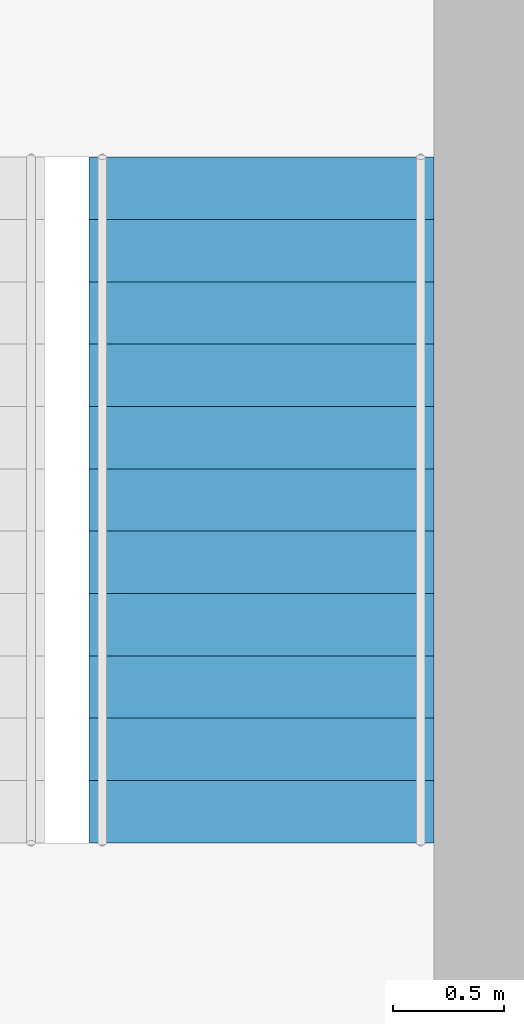
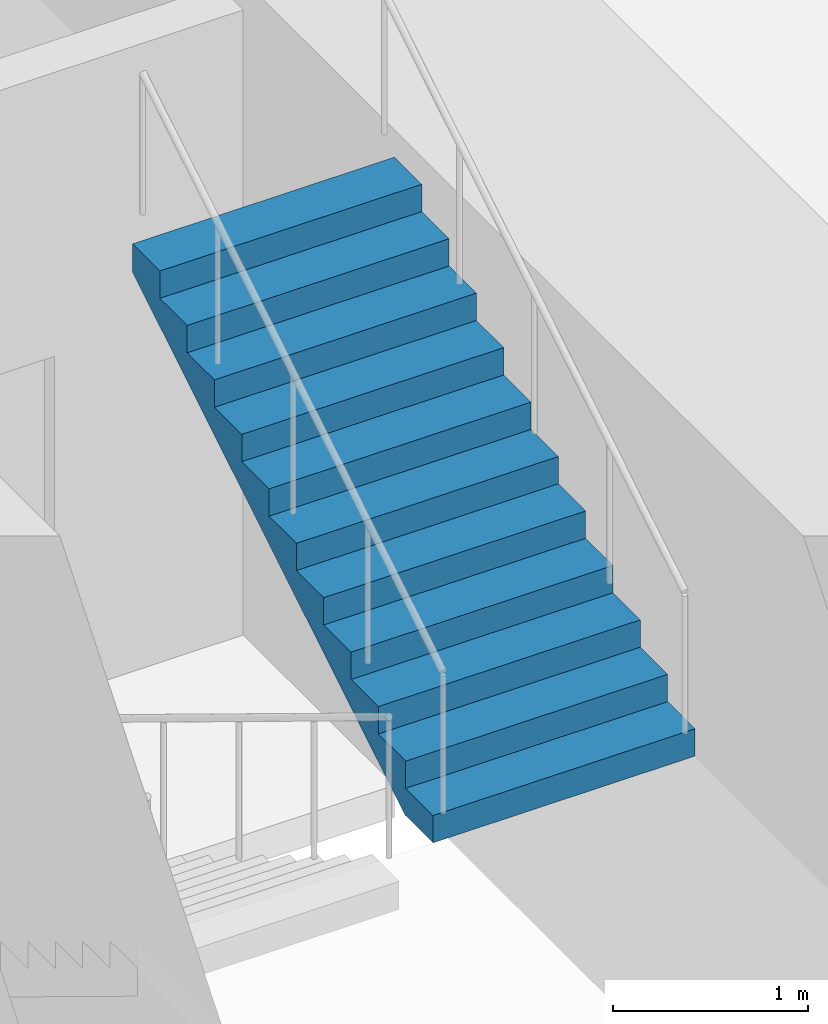
# One storey, part 12 of 13: 1 stair flight, 1 element without a shape of its own.
"""IFC4 building model written with IfcOpenShell, lengths in metres."""

from ifc_helpers import new_model, si_unit, direction, frame, origin, place, context, subcontext, project, spatial, polyline, outline, extrude, material, type_object, element, aggregate, save


model = new_model("IFC4")

# Units and contexts
model_context = context("Model", 3, precision=1e-05, world=origin(), true_north=direction((0.0, 1.0)))
body_context = subcontext(model_context, "Body", "Model", "MODEL_VIEW")
ifc_project = project(units=[si_unit("LENGTHUNIT", "METRE"), si_unit("AREAUNIT", "SQUARE_METRE"), si_unit("VOLUMEUNIT", "CUBIC_METRE"), si_unit("PLANEANGLEUNIT", "RADIAN"), si_unit("MASSUNIT", "GRAM", prefix="KILO")], contexts=[model_context])

# Site, building, storey
site_placement = place(None, origin())
site = spatial("IfcSite", under=ifc_project, at=site_placement, CompositionType="ELEMENT")
building_placement = place(site_placement, origin())
building = spatial("IfcBuilding", under=site, at=building_placement, Name="Trevanion Tower", CompositionType="ELEMENT")
storey_placement = place(building_placement, frame((0.0, 0.0, 81.60009765625)))
storey = spatial("IfcBuildingStorey", under=building, at=storey_placement, Name="L19", CompositionType="ELEMENT", Elevation=81.60009765625)

# Stair, stair flight
ifc_material_1 = material(Name="Concrete 5,000 psi on steel stringers", Category="concrete")
stair_type = type_object("IfcStairType", Name="ST stair", PredefinedType="HALF_TURN_STAIR", material=ifc_material_1)
stair_placement = place(storey_placement, origin())
stair = element("IfcStair", 1, at=stair_placement, inside=storey, type_object=stair_type, Name="ST1 L19", PredefinedType="HALF_TURN_STAIR")
ifc_material_2 = material(Name="Concrete 5,000 psi in steel pan", Category="concrete")
stair_flight_type = type_object("IfcStairFlightType", Name="STF stair flight", PredefinedType="STRAIGHT", material=ifc_material_2)
stair_flight_placement = place(storey_placement, frame((9.47509765625, -1.554931640625, 2.0498046875), z_axis=(0.0, 0.0, 1.0), x_axis=(0.0, 1.0, 0.0)))
stair_flight = element("IfcStairFlight", 2, at=stair_flight_placement, type_object=stair_flight_type, Name="ST1 flight 2", NumberOfRisers=12, NumberOfTreads=11, PredefinedType="STRAIGHT", RiserHeight=0.170833333, TreadLength=0.28, context=body_context, shape_type="SweptSolid", body=[
    extrude(outline(polyline([(0.0, 0.0), (0.0, 0.1708984375), (0.280029296875, 0.1708984375), (0.280029296875, 0.341552734375), (0.56005859375, 0.341552734375), (0.56005859375, 0.512451171875), (0.840087890625, 0.512451171875), (0.840087890625, 0.683349609375), (1.1201171875, 0.683349609375), (1.1201171875, 0.854248046875), (1.39990234375, 0.854248046875), (1.39990234375, 1.02490234375), (1.679931640625, 1.02490234375), (1.679931640625, 1.19580078125), (1.9599609375, 1.19580078125), (1.9599609375, 1.36669921875), (2.239990234375, 1.36669921875), (2.239990234375, 1.53759765625), (2.52001953125, 1.53759765625), (2.52001953125, 1.708251953125), (2.800048828125, 1.708251953125), (2.800048828125, 1.879150390625), (3.080078125, 1.879150390625), (3.080078125, 2.050048828125), (3.080078125, 1.70361328125), (0.287841796875, 0.0), (0.0, 0.0)])), frame((0.0, 0.77490234375, 0.0), z_axis=(0.0, -1.0, 0.0), x_axis=(1.0, 0.0, 0.0)), (0.0, 0.0, 1.0), 1.550048828125),
])
aggregate(stair, [stair_flight])

save(model, "model.ifc")
